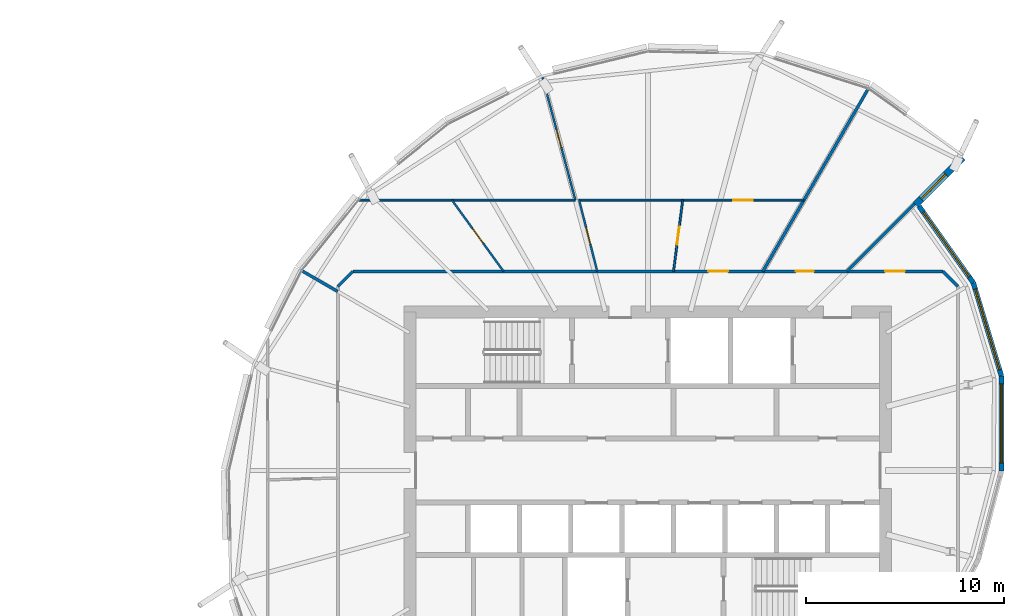
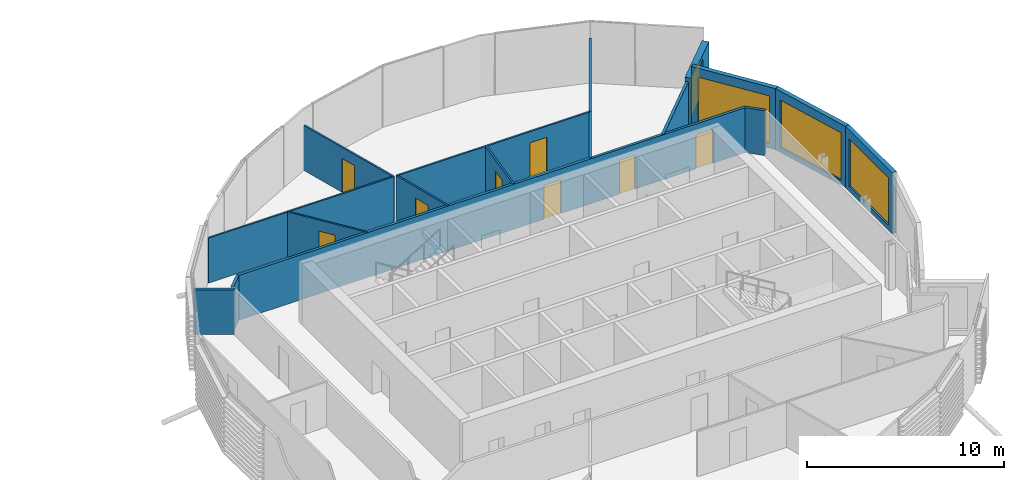
# One storey, part 24 of 37: 16 walls, 8 doors, 4 windows, 12 openings.
"""IFC4 building model written with IfcOpenShell, lengths in metres."""

from ifc_helpers import new_model, si_unit, direction, frame, frame_2d, origin, place, context, subcontext, project, spatial, rectangle, extrude, material, layer, layer_set, type_object, element, fill, save


model = new_model("IFC4")

# Units and contexts
model_context = context("Model", 3, precision=1e-05, world=origin(), true_north=direction((0.0, 1.0)))
body_context = subcontext(model_context, "Body", "Model", "MODEL_VIEW")
ifc_project = project(units=[si_unit("LENGTHUNIT", "METRE"), si_unit("AREAUNIT", "SQUARE_METRE"), si_unit("VOLUMEUNIT", "CUBIC_METRE"), si_unit("PLANEANGLEUNIT", "RADIAN"), si_unit("MASSUNIT", "GRAM", prefix="KILO")], contexts=[model_context])

# Site, building, storey
site_placement = place(None, origin())
site = spatial("IfcSite", under=ifc_project, at=site_placement, CompositionType="ELEMENT")
building_placement = place(site_placement, origin())
building = spatial("IfcBuilding", under=site, at=building_placement, Name="Rimbun Link Towers", CompositionType="ELEMENT")
storey_placement = place(building_placement, frame((0.0, 0.0, 162.699951171875)))
storey = spatial("IfcBuildingStorey", under=building, at=storey_placement, Name="L39", CompositionType="ELEMENT", Elevation=162.699951171875)

# Wall, opening, window
ifc_material_1 = material(Name="Dark enamelled glass spandrel on insulated aluminium backpan", Category="aluminium")
ifc_layer_1 = layer(ifc_material_1, 0.25)
ifc_layer_set_1 = layer_set([ifc_layer_1], Name="CS dark enamelled spandrel wall 250")
wall_type_1 = type_object("IfcWallType", Name="CS dark enamelled spandrel wall 250", PredefinedType="STANDARD", material=ifc_layer_set_1)
wall_1_placement = place(storey_placement, frame((49.6044921875, 4.76904296875, 0.0), z_axis=(0.0, 0.0, 1.0), x_axis=(0.000561253037, -0.999999842498, 0.0)))
wall_1 = element("IfcWall", 1, at=wall_1_placement, inside=storey, type_object=wall_type_1, Name="Crease spandrel wall", PredefinedType="STANDARD", context=body_context, shape_type="SweptSolid", body=[
    extrude(rectangle(XDim=4.784912109375, YDim=0.25, at=frame_2d((2.392578125, 0.0))), origin(), (0.0, 0.0, 1.0), 3.800048828125),
])
opening_1_placement = place(wall_1_placement, frame((0.392578125, 0.0, 0.300048828125)))
opening_1 = element("IfcOpeningElement", 2, at=opening_1_placement, cuts=wall_1, Name="Opening WR40H295", PredefinedType="OPENING", context=body_context, shape_type="SweptSolid", body=[
    extrude(rectangle(XDim=4.0, YDim=2.949951171875, at=frame_2d((2.0, 1.47509765625))), frame((0.0, 0.135009765625, 0.0), z_axis=(0.0, -1.0, 0.0), x_axis=(1.0, 0.0, 0.0)), (0.0, 0.0, 1.0), 0.27001953125),
])
ifc_material_2 = material(Name="Aluminium framed fixed window, dark tinted low-e glass", Category="aluminium")
window_type_1 = type_object("IfcWindowType", Name="WR ribbon window 4000X2950", PartitioningType="SINGLE_PANEL", PredefinedType="WINDOW", material=ifc_material_2)
window_1_placement = place(opening_1_placement, origin())
window_1 = element("IfcWindow", 3, at=window_1_placement, inside=storey, type_object=window_type_1, Name="Crease ribbon window", OverallHeight=2.949951171875, OverallWidth=4.0, PartitioningType="SINGLE_PANEL", PredefinedType="WINDOW", context=body_context, shape_type="SweptSolid", body=[
    extrude(rectangle(XDim=4.0, YDim=2.949951171875, at=frame_2d((2.0, 1.47509765625))), frame((0.0, 0.030029296875, 0.0), z_axis=(0.0, -1.0, 0.0), x_axis=(1.0, 0.0, 0.0)), (0.0, 0.0, 1.0), 0.06005859375),
])
fill(opening_1, window_1)

wall_2_placement = place(storey_placement, frame((48.18603515625, 9.479248046875, 0.0), z_axis=(0.0, 0.0, 1.0), x_axis=(0.288353999534, -0.957523874873, 0.0)))
wall_2 = element("IfcWall", 4, at=wall_2_placement, inside=storey, type_object=wall_type_1, Name="Crease spandrel wall", PredefinedType="STANDARD", context=body_context, shape_type="SweptSolid", body=[
    extrude(rectangle(XDim=4.919189453125, YDim=0.25, at=frame_2d((2.45947265625, 0.0))), origin(), (0.0, 0.0, 1.0), 3.800048828125),
])
opening_2_placement = place(wall_2_placement, frame((0.33447265625, 0.0, 0.300048828125)))
opening_2 = element("IfcOpeningElement", 5, at=opening_2_placement, cuts=wall_2, Name="Opening WR42H295", PredefinedType="OPENING", context=body_context, shape_type="SweptSolid", body=[
    extrude(rectangle(XDim=4.25, YDim=2.949951171875, at=frame_2d((2.125, 1.47509765625))), frame((0.0, 0.135009765625, 0.0), z_axis=(0.0, -1.0, 0.0), x_axis=(1.0, 0.0, 0.0)), (0.0, 0.0, 1.0), 0.27001953125),
])
ifc_material_3 = material(Name="Aluminium framed fixed window, dark tinted low-e glass", Category="aluminium")
window_type_2 = type_object("IfcWindowType", Name="WR ribbon window 4250X2950", PartitioningType="SINGLE_PANEL", PredefinedType="WINDOW", material=ifc_material_3)
window_2_placement = place(opening_2_placement, origin())
window_2 = element("IfcWindow", 6, at=window_2_placement, inside=storey, type_object=window_type_2, Name="Crease ribbon window", OverallHeight=2.949951171875, OverallWidth=4.25, PartitioningType="SINGLE_PANEL", PredefinedType="WINDOW", context=body_context, shape_type="SweptSolid", body=[
    extrude(rectangle(XDim=4.25, YDim=2.949951171875, at=frame_2d((2.125, 1.47509765625))), frame((0.0, 0.030029296875, 0.0), z_axis=(0.0, -1.0, 0.0), x_axis=(1.0, 0.0, 0.0)), (0.0, 0.0, 1.0), 0.06005859375),
])
fill(opening_2, window_2)

wall_3_placement = place(storey_placement, frame((45.44677734375, 13.34326171875, 0.0), z_axis=(0.0, 0.0, 1.0), x_axis=(0.578333359796, -0.815800542379, 0.0)))
wall_3 = element("IfcWall", 7, at=wall_3_placement, inside=storey, type_object=wall_type_1, Name="Crease spandrel wall", PredefinedType="STANDARD", context=body_context, shape_type="SweptSolid", body=[
    extrude(rectangle(XDim=4.736572265625, YDim=0.25, at=frame_2d((2.3681640625, 0.0))), origin(), (0.0, 0.0, 1.0), 3.800048828125),
])
opening_3_placement = place(wall_3_placement, frame((0.3681640625, 0.0, 0.300048828125)))
opening_3 = element("IfcOpeningElement", 8, at=opening_3_placement, cuts=wall_3, Name="Opening WR40H295", PredefinedType="OPENING", context=body_context, shape_type="SweptSolid", body=[
    extrude(rectangle(XDim=4.0, YDim=2.949951171875, at=frame_2d((2.0, 1.47509765625))), frame((0.0, 0.135009765625, 0.0), z_axis=(0.0, -1.0, 0.0), x_axis=(1.0, 0.0, 0.0)), (0.0, 0.0, 1.0), 0.27001953125),
])
window_3_placement = place(opening_3_placement, origin())
window_3 = element("IfcWindow", 9, at=window_3_placement, inside=storey, type_object=window_type_1, Name="Crease ribbon window", OverallHeight=2.949951171875, OverallWidth=4.0, PartitioningType="SINGLE_PANEL", PredefinedType="WINDOW", context=body_context, shape_type="SweptSolid", body=[
    extrude(rectangle(XDim=4.0, YDim=2.949951171875, at=frame_2d((2.0, 1.47509765625))), frame((0.0, 0.030029296875, 0.0), z_axis=(0.0, -1.0, 0.0), x_axis=(1.0, 0.0, 0.0)), (0.0, 0.0, 1.0), 0.06005859375),
])
fill(opening_3, window_3)

ifc_material_4 = material(Name="Dark enamelled glass spandrel on insulated aluminium backpan", Category="aluminium")
ifc_layer_2 = layer(ifc_material_4, 0.3701171875)
ifc_layer_set_2 = layer_set([ifc_layer_2], Name="CS dark enamelled spandrel wall 370")
wall_type_2 = type_object("IfcWallType", Name="CS dark enamelled spandrel wall 370", PredefinedType="STANDARD", material=ifc_layer_set_2)
wall_4_placement = place(storey_placement, frame((47.646484375, 15.804443359375, 0.0), z_axis=(0.0, 0.0, 1.0), x_axis=(-0.707142895836, -0.707070664692, 0.0)))
wall_4 = element("IfcWall", 10, at=wall_4_placement, inside=storey, type_object=wall_type_2, Name="Crease spandrel wall", PredefinedType="STANDARD", context=body_context, shape_type="SweptSolid", body=[
    extrude(rectangle(XDim=3.3798828125, YDim=0.3701171875, at=frame_2d((1.68994140625, 0.0))), origin(), (0.0, 0.0, 1.0), 3.037353515625),
])
opening_4_placement = place(wall_4_placement, frame((1.207763671875, 0.0, 0.300048828125)))
opening_4 = element("IfcOpeningElement", 11, at=opening_4_placement, cuts=wall_4, Name="Opening WR18H245", PredefinedType="OPENING", context=body_context, shape_type="SweptSolid", body=[
    extrude(rectangle(XDim=1.75, YDim=2.449951171875, at=frame_2d((0.875, 1.22509765625))), frame((0.0, 0.195068359375, 0.0), z_axis=(0.0, -1.0, 0.0), x_axis=(1.0, 0.0, 0.0)), (0.0, 0.0, 1.0), 0.39013671875),
])
ifc_material_5 = material(Name="Aluminium framed fixed window, dark tinted low-e glass", Category="aluminium")
window_type_3 = type_object("IfcWindowType", Name="WR ribbon window 1750X2450", PartitioningType="SINGLE_PANEL", PredefinedType="WINDOW", material=ifc_material_5)
window_4_placement = place(opening_4_placement, origin())
window_4 = element("IfcWindow", 12, at=window_4_placement, inside=storey, type_object=window_type_3, Name="Crease ribbon window", OverallHeight=2.449951171875, OverallWidth=1.75, PartitioningType="SINGLE_PANEL", PredefinedType="WINDOW", context=body_context, shape_type="SweptSolid", body=[
    extrude(rectangle(XDim=1.75, YDim=2.449951171875, at=frame_2d((0.875, 1.22509765625))), frame((0.0, 0.030029296875, 0.0), z_axis=(0.0, -1.0, 0.0), x_axis=(1.0, 0.0, 0.0)), (0.0, 0.0, 1.0), 0.06005859375),
])
fill(opening_4, window_4)

# Walls
ifc_material_6 = material(Name="Plasterboard on steel stud, mineral wool", Category="steel")
ifc_layer_3 = layer(ifc_material_6, 0.14990234375)
ifc_layer_set_3 = layer_set([ifc_layer_3], Name="Corridor wall EI 30 150 mm")
wall_type_3 = type_object("IfcWallType", Name="Corridor wall EI 30 150 mm", PredefinedType="PARTITIONING", material=ifc_layer_set_3)
for number, where, z_axis, x_axis, name in (
    (13, (47.405029296875, 9.293701171875, 0.0), (0.0, 0.0, 1.0), (-0.707106781187, 0.707106781187, 0.0), "Corridor wall EI 30 150 mm"),
    (14, (16.856201171875, 10.054931640625, 0.0), (0.0, 0.0, 1.0), (-0.707106781187, -0.707106781187, 0.0), "Corridor wall EI 30 150 mm"),
):
    element("IfcWall", number, at=place(storey_placement, frame(where, z_axis=z_axis, x_axis=x_axis)), inside=storey, type_object=wall_type_3, Name=name, PredefinedType="PARTITIONING", context=body_context, shape_type="SweptSolid", body=[
        extrude(rectangle(XDim=1.07666015625, YDim=0.14990234375, at=frame_2d((0.538330078125, 0.0))), origin(), (0.0, 0.0, 1.0), 2.7890625),
    ])

# Wall, openings, doors
wall_5_placement = place(storey_placement, frame((16.856201171875, 10.054931640625, 0.0), z_axis=(0.0, 0.0, 1.0), x_axis=(1.0, 0.0, 0.0)))
wall_5 = element("IfcWall", 15, at=wall_5_placement, inside=storey, type_object=wall_type_3, Name="Corridor wall EI 30 150 mm", PredefinedType="PARTITIONING", context=body_context, shape_type="SweptSolid", body=[
    extrude(rectangle(XDim=29.78759765625, YDim=0.14990234375, at=frame_2d((14.893798828125, 0.0))), origin(), (0.0, 0.0, 1.0), 2.7890625),
])
opening_5_placement = place(wall_5_placement, frame((22.373779296875, 0.0, 0.0)))
opening_5 = element("IfcOpeningElement", 16, at=opening_5_placement, cuts=wall_5, Name="Opening D02", PredefinedType="OPENING", context=body_context, shape_type="SweptSolid", body=[
    extrude(rectangle(XDim=0.89990234375, YDim=2.10009765625, at=frame_2d((0.449951171875, 1.050048828125))), frame((0.0, 0.0849609375, 0.0), z_axis=(0.0, -1.0, 0.0), x_axis=(1.0, 0.0, 0.0)), (0.0, 0.0, 1.0), 0.169921875),
])
opening_6_placement = place(wall_5_placement, frame((17.944580078125, 0.0, 0.0)))
opening_6 = element("IfcOpeningElement", 17, at=opening_6_placement, cuts=wall_5, Name="Opening D01", PredefinedType="OPENING", context=body_context, shape_type="SweptSolid", body=[
    extrude(rectangle(XDim=1.0, YDim=2.10009765625, at=frame_2d((0.5, 1.050048828125))), frame((0.0, 0.0849609375, 0.0), z_axis=(0.0, -1.0, 0.0), x_axis=(1.0, 0.0, 0.0)), (0.0, 0.0, 1.0), 0.169921875),
])
opening_7_placement = place(wall_5_placement, frame((26.8681640625, 0.0, 0.0)))
opening_7 = element("IfcOpeningElement", 18, at=opening_7_placement, cuts=wall_5, Name="Opening D01", PredefinedType="OPENING", context=body_context, shape_type="SweptSolid", body=[
    extrude(rectangle(XDim=1.0, YDim=2.10009765625, at=frame_2d((0.5, 1.050048828125))), frame((0.0, 0.0849609375, 0.0), z_axis=(0.0, -1.0, 0.0), x_axis=(1.0, 0.0, 0.0)), (0.0, 0.0, 1.0), 0.169921875),
])
ifc_material_7 = material(Name="Fire-resisting timber door leaf", Category="wood")
door_type_1 = type_object("IfcDoorType", Name="Fire door FD30S 1000", OperationType="NOTDEFINED", PredefinedType="DOOR", material=ifc_material_7)
door_1_placement = place(opening_6_placement, origin())
door_1 = element("IfcDoor", 19, at=door_1_placement, inside=storey, type_object=door_type_1, Name="Fire door FD30S 1000 to Tenant lobby", OperationType="SINGLE_SWING_RIGHT", OverallHeight=2.10009765625, OverallWidth=1.0, PredefinedType="DOOR", context=body_context, shape_type="SweptSolid", body=[
    extrude(rectangle(XDim=1.0, YDim=2.10009765625, at=frame_2d((0.5, 1.050048828125))), frame((0.0, 0.02490234375, 0.0), z_axis=(0.0, -1.0, 0.0), x_axis=(1.0, 0.0, 0.0)), (0.0, 0.0, 1.0), 0.050048828125),
])
fill(opening_6, door_1)
door_2_placement = place(opening_7_placement, origin())
door_2 = element("IfcDoor", 20, at=door_2_placement, inside=storey, type_object=door_type_1, Name="Fire door FD30S 1000 to Terrace office", OperationType="SINGLE_SWING_LEFT", OverallHeight=2.10009765625, OverallWidth=1.0, PredefinedType="DOOR", context=body_context, shape_type="SweptSolid", body=[
    extrude(rectangle(XDim=1.0, YDim=2.10009765625, at=frame_2d((0.5, 1.050048828125))), frame((0.0, 0.02490234375, 0.0), z_axis=(0.0, -1.0, 0.0), x_axis=(1.0, 0.0, 0.0)), (0.0, 0.0, 1.0), 0.050048828125),
])
fill(opening_7, door_2)
ifc_material_8 = material(Name="Fire-resisting timber door leaf", Category="wood")
door_type_2 = type_object("IfcDoorType", Name="Fire door FD30S 900", OperationType="NOTDEFINED", PredefinedType="DOOR", material=ifc_material_8)
door_3_placement = place(opening_5_placement, origin())
door_3 = element("IfcDoor", 21, at=door_3_placement, inside=storey, type_object=door_type_2, Name="Fire door FD30S 900 to Print room", OperationType="SINGLE_SWING_LEFT", OverallHeight=2.10009765625, OverallWidth=0.89990234375, PredefinedType="DOOR", context=body_context, shape_type="SweptSolid", body=[
    extrude(rectangle(XDim=0.89990234375, YDim=2.10009765625, at=frame_2d((0.449951171875, 1.050048828125))), frame((0.0, 0.02490234375, 0.0), z_axis=(0.0, -1.0, 0.0), x_axis=(1.0, 0.0, 0.0)), (0.0, 0.0, 1.0), 0.050048828125),
])
fill(opening_5, door_3)

# Wall, opening, door
ifc_material_9 = material(Name="Plasterboard on steel stud", Category="steel")
ifc_layer_4 = layer(ifc_material_9, 0.10009765625)
ifc_layer_set_4 = layer_set([ifc_layer_4], Name="Plasterboard partition 100 mm")
wall_type_4 = type_object("IfcWallType", Name="Plasterboard partition 100 mm", PredefinedType="PARTITIONING", material=ifc_layer_set_4)
wall_6_placement = place(storey_placement, frame((33.046875, 10.054931640625, 0.0), z_axis=(0.0, 0.0, 1.0), x_axis=(0.127858229775, 0.991792454639, 0.0)))
wall_6 = element("IfcWall", 22, at=wall_6_placement, inside=storey, type_object=wall_type_4, Name="Plasterboard partition 100 mm", PredefinedType="PARTITIONING", context=body_context, shape_type="SweptSolid", body=[
    extrude(rectangle(XDim=3.6298828125, YDim=0.10009765625, at=frame_2d((1.81494140625, 0.0))), origin(), (0.0, 0.0, 1.0), 2.7890625),
])
opening_8_placement = place(wall_6_placement, frame((1.364990234375, 0.0, 0.0)))
opening_8 = element("IfcOpeningElement", 23, at=opening_8_placement, cuts=wall_6, Name="Opening D04", PredefinedType="OPENING", context=body_context, shape_type="SweptSolid", body=[
    extrude(rectangle(XDim=0.89990234375, YDim=2.10009765625, at=frame_2d((0.449951171875, 1.050048828125))), frame((0.0, 0.06005859375, 0.0), z_axis=(0.0, -1.0, 0.0), x_axis=(1.0, 0.0, 0.0)), (0.0, 0.0, 1.0), 0.1201171875),
])
ifc_material_10 = material(Name="Timber door leaf", Category="wood")
door_type_3 = type_object("IfcDoorType", Name="Flush door 900", OperationType="NOTDEFINED", PredefinedType="DOOR", material=ifc_material_10)
door_4_placement = place(opening_8_placement, origin())
door_4 = element("IfcDoor", 24, at=door_4_placement, inside=storey, type_object=door_type_3, Name="Flush door 900 to Huddle room", OperationType="SINGLE_SWING_RIGHT", OverallHeight=2.10009765625, OverallWidth=0.89990234375, PredefinedType="DOOR", context=body_context, shape_type="SweptSolid", body=[
    extrude(rectangle(XDim=0.89990234375, YDim=2.10009765625, at=frame_2d((0.449951171875, 1.050048828125))), frame((0.0, 0.02490234375, 0.0), z_axis=(0.0, -1.0, 0.0), x_axis=(1.0, 0.0, 0.0)), (0.0, 0.0, 1.0), 0.050048828125),
])
fill(opening_8, door_4)

wall_7_placement = place(storey_placement, frame((28.25, 13.655029296875, 0.0), z_axis=(0.0, 0.0, 1.0), x_axis=(1.0, 0.0, 0.0)))
wall_7 = element("IfcWall", 25, at=wall_7_placement, inside=storey, type_object=wall_type_4, Name="Plasterboard partition 100 mm", PredefinedType="PARTITIONING", context=body_context, shape_type="SweptSolid", body=[
    extrude(rectangle(XDim=11.3837890625, YDim=0.10009765625, at=frame_2d((5.69189453125, 0.0))), origin(), (0.0, 0.0, 1.0), 2.7890625),
])
opening_9_placement = place(wall_7_placement, frame((7.807373046875, 0.0, 0.0)))
opening_9 = element("IfcOpeningElement", 26, at=opening_9_placement, cuts=wall_7, Name="Opening D03", PredefinedType="OPENING", context=body_context, shape_type="SweptSolid", body=[
    extrude(rectangle(XDim=1.0, YDim=2.10009765625, at=frame_2d((0.5, 1.050048828125))), frame((0.0, 0.06005859375, 0.0), z_axis=(0.0, -1.0, 0.0), x_axis=(1.0, 0.0, 0.0)), (0.0, 0.0, 1.0), 0.1201171875),
])
ifc_material_11 = material(Name="Timber door leaf", Category="wood")
door_type_4 = type_object("IfcDoorType", Name="Flush door 1000", OperationType="NOTDEFINED", PredefinedType="DOOR", material=ifc_material_11)
door_5_placement = place(opening_9_placement, origin())
door_5 = element("IfcDoor", 27, at=door_5_placement, inside=storey, type_object=door_type_4, Name="Flush door 1000 to Open office", OperationType="SINGLE_SWING_LEFT", OverallHeight=2.10009765625, OverallWidth=1.0, PredefinedType="DOOR", context=body_context, shape_type="SweptSolid", body=[
    extrude(rectangle(XDim=1.0, YDim=2.10009765625, at=frame_2d((0.5, 1.050048828125))), frame((0.0, 0.02490234375, 0.0), z_axis=(0.0, -1.0, 0.0), x_axis=(1.0, 0.0, 0.0)), (0.0, 0.0, 1.0), 0.050048828125),
])
fill(opening_9, door_5)

wall_8_placement = place(storey_placement, frame((29.194580078125, 10.054931640625, 0.0), z_axis=(0.0, 0.0, 1.0), x_axis=(-0.246276351741, 0.969199648459, 0.0)))
wall_8 = element("IfcWall", 28, at=wall_8_placement, inside=storey, type_object=wall_type_4, Name="Plasterboard partition 100 mm", PredefinedType="PARTITIONING", context=body_context, shape_type="SweptSolid", body=[
    extrude(rectangle(XDim=3.714599609375, YDim=0.10009765625, at=frame_2d((1.857421875, 0.0))), origin(), (0.0, 0.0, 1.0), 2.7890625),
])
opening_10_placement = place(wall_8_placement, frame((1.4072265625, 0.0, 0.0)))
opening_10 = element("IfcOpeningElement", 29, at=opening_10_placement, cuts=wall_8, Name="Opening D04", PredefinedType="OPENING", context=body_context, shape_type="SweptSolid", body=[
    extrude(rectangle(XDim=0.89990234375, YDim=2.10009765625, at=frame_2d((0.449951171875, 1.050048828125))), frame((0.0, 0.06005859375, 0.0), z_axis=(0.0, -1.0, 0.0), x_axis=(1.0, 0.0, 0.0)), (0.0, 0.0, 1.0), 0.1201171875),
])
door_6_placement = place(opening_10_placement, origin())
door_6 = element("IfcDoor", 30, at=door_6_placement, inside=storey, type_object=door_type_3, Name="Flush door 900 to Huddle room", OperationType="SINGLE_SWING_LEFT", OverallHeight=2.10009765625, OverallWidth=0.89990234375, PredefinedType="DOOR", context=body_context, shape_type="SweptSolid", body=[
    extrude(rectangle(XDim=0.89990234375, YDim=2.10009765625, at=frame_2d((0.449951171875, 1.050048828125))), frame((0.0, 0.02490234375, 0.0), z_axis=(0.0, -1.0, 0.0), x_axis=(1.0, 0.0, 0.0)), (0.0, 0.0, 1.0), 0.050048828125),
])
fill(opening_10, door_6)

wall_9_placement = place(storey_placement, frame((24.4658203125, 10.054931640625, 0.0), z_axis=(0.0, 0.0, 1.0), x_axis=(-0.586684960806, 0.809815260886, 0.0)))
wall_9 = element("IfcWall", 31, at=wall_9_placement, inside=storey, type_object=wall_type_4, Name="Plasterboard partition 100 mm", PredefinedType="PARTITIONING", context=body_context, shape_type="SweptSolid", body=[
    extrude(rectangle(XDim=4.445556640625, YDim=0.10009765625, at=frame_2d((2.22265625, 0.0))), origin(), (0.0, 0.0, 1.0), 2.7890625),
])
opening_11_placement = place(wall_9_placement, frame((1.772705078125, 0.0, 0.0)))
opening_11 = element("IfcOpeningElement", 32, at=opening_11_placement, cuts=wall_9, Name="Opening D04", PredefinedType="OPENING", context=body_context, shape_type="SweptSolid", body=[
    extrude(rectangle(XDim=0.89990234375, YDim=2.10009765625, at=frame_2d((0.449951171875, 1.050048828125))), frame((0.0, 0.06005859375, 0.0), z_axis=(0.0, -1.0, 0.0), x_axis=(1.0, 0.0, 0.0)), (0.0, 0.0, 1.0), 0.1201171875),
])
door_7_placement = place(opening_11_placement, origin())
door_7 = element("IfcDoor", 33, at=door_7_placement, inside=storey, type_object=door_type_3, Name="Flush door 900 to Pantry", OperationType="SINGLE_SWING_RIGHT", OverallHeight=2.10009765625, OverallWidth=0.89990234375, PredefinedType="DOOR", context=body_context, shape_type="SweptSolid", body=[
    extrude(rectangle(XDim=0.89990234375, YDim=2.10009765625, at=frame_2d((0.449951171875, 1.050048828125))), frame((0.0, 0.02490234375, 0.0), z_axis=(0.0, -1.0, 0.0), x_axis=(1.0, 0.0, 0.0)), (0.0, 0.0, 1.0), 0.050048828125),
])
fill(opening_11, door_7)

# Wall
wall_10_placement = place(storey_placement, frame((28.09130859375, 13.655029296875, 0.0), z_axis=(0.0, 0.0, 1.0), x_axis=(-1.0, 0.0, 0.0)))
element("IfcWall", 34, at=wall_10_placement, inside=storey, type_object=wall_type_4, Name="Plasterboard partition 100 mm", PredefinedType="PARTITIONING", context=body_context, shape_type="SweptSolid", body=[
    extrude(rectangle(XDim=10.918701171875, YDim=0.10009765625, at=frame_2d((5.45947265625, 0.0))), origin(), (0.0, 0.0, 1.0), 2.7890625),
])

# Wall, opening, door
wall_11_placement = place(storey_placement, frame((28.09130859375, 13.655029296875, 0.0), z_axis=(0.0, 0.0, 1.0), x_axis=(-0.258831074452, 0.965922602954, 0.0)))
wall_11 = element("IfcWall", 35, at=wall_11_placement, inside=storey, type_object=wall_type_4, Name="Plasterboard partition 100 mm", PredefinedType="PARTITIONING", context=body_context, shape_type="SweptSolid", body=[
    extrude(rectangle(XDim=6.423583984375, YDim=0.10009765625, at=frame_2d((3.2119140625, 0.0))), origin(), (0.0, 0.0, 1.0), 2.7890625),
])
opening_12_placement = place(wall_11_placement, frame((2.76171875, 0.0, 0.0)))
opening_12 = element("IfcOpeningElement", 36, at=opening_12_placement, cuts=wall_11, Name="Opening D04", PredefinedType="OPENING", context=body_context, shape_type="SweptSolid", body=[
    extrude(rectangle(XDim=0.89990234375, YDim=2.10009765625, at=frame_2d((0.449951171875, 1.050048828125))), frame((0.0, 0.06005859375, 0.0), z_axis=(0.0, -1.0, 0.0), x_axis=(1.0, 0.0, 0.0)), (0.0, 0.0, 1.0), 0.1201171875),
])
door_8_placement = place(opening_12_placement, origin())
door_8 = element("IfcDoor", 37, at=door_8_placement, inside=storey, type_object=door_type_3, Name="Flush door 900 to Project room", OperationType="SINGLE_SWING_RIGHT", OverallHeight=2.10009765625, OverallWidth=0.89990234375, PredefinedType="DOOR", context=body_context, shape_type="SweptSolid", body=[
    extrude(rectangle(XDim=0.89990234375, YDim=2.10009765625, at=frame_2d((0.449951171875, 1.050048828125))), frame((0.0, 0.02490234375, 0.0), z_axis=(0.0, -1.0, 0.0), x_axis=(1.0, 0.0, 0.0)), (0.0, 0.0, 1.0), 0.050048828125),
])
fill(opening_12, door_8)

# Walls
ifc_material_12 = material(Name="Plasterboard on steel stud, mineral wool", Category="steel")
ifc_layer_5 = layer(ifc_material_12, 0.14990234375)
ifc_layer_set_5 = layer_set([ifc_layer_5], Name="Tenancy separation wall EI 60 150 mm")
wall_type_5 = type_object("IfcWallType", Name="Tenancy separation wall EI 60 150 mm", PredefinedType="PARTITIONING", material=ifc_layer_set_5)
wall_12_placement = place(storey_placement, frame((41.804931640625, 10.054931640625, 0.0), z_axis=(0.0, 0.0, 1.0), x_axis=(0.707106781187, 0.707106781187, 0.0)))
element("IfcWall", 38, at=wall_12_placement, inside=storey, type_object=wall_type_5, Name="Tenancy separation wall EI 60 150 mm", PredefinedType="PARTITIONING", context=body_context, shape_type="SweptSolid", body=[
    extrude(rectangle(XDim=4.816162109375, YDim=0.14990234375, at=frame_2d((2.408203125, 0.0))), origin(), (0.0, 0.0, 1.0), 2.7890625),
])
wall_13_placement = place(storey_placement, frame((37.555419921875, 10.054931640625, 0.0), z_axis=(0.0, 0.0, 1.0), x_axis=(0.499982733475, 0.866035372388, 0.0)))
element("IfcWall", 39, at=wall_13_placement, inside=storey, type_object=wall_type_5, Name="Tenancy separation wall EI 60 150 mm", PredefinedType="PARTITIONING", context=body_context, shape_type="SweptSolid", body=[
    extrude(rectangle(XDim=10.63671875, YDim=0.14990234375, at=frame_2d((5.318359375, 0.0))), origin(), (0.0, 0.0, 1.0), 2.7890625),
])
wall_14_placement = place(storey_placement, frame((16.094970703125, 9.038330078125, 0.0), z_axis=(0.0, 0.0, 1.0), x_axis=(-0.866008785421, 0.500028782745, 0.0)))
element("IfcWall", 40, at=wall_14_placement, inside=storey, type_object=wall_type_5, Name="Tenancy separation wall EI 60 150 mm", PredefinedType="PARTITIONING", context=body_context, shape_type="SweptSolid", body=[
    extrude(rectangle(XDim=2.0927734375, YDim=0.14990234375, at=frame_2d((1.04638671875, 0.0))), origin(), (0.0, 0.0, 1.0), 2.7890625),
])

save(model, "model.ifc")
